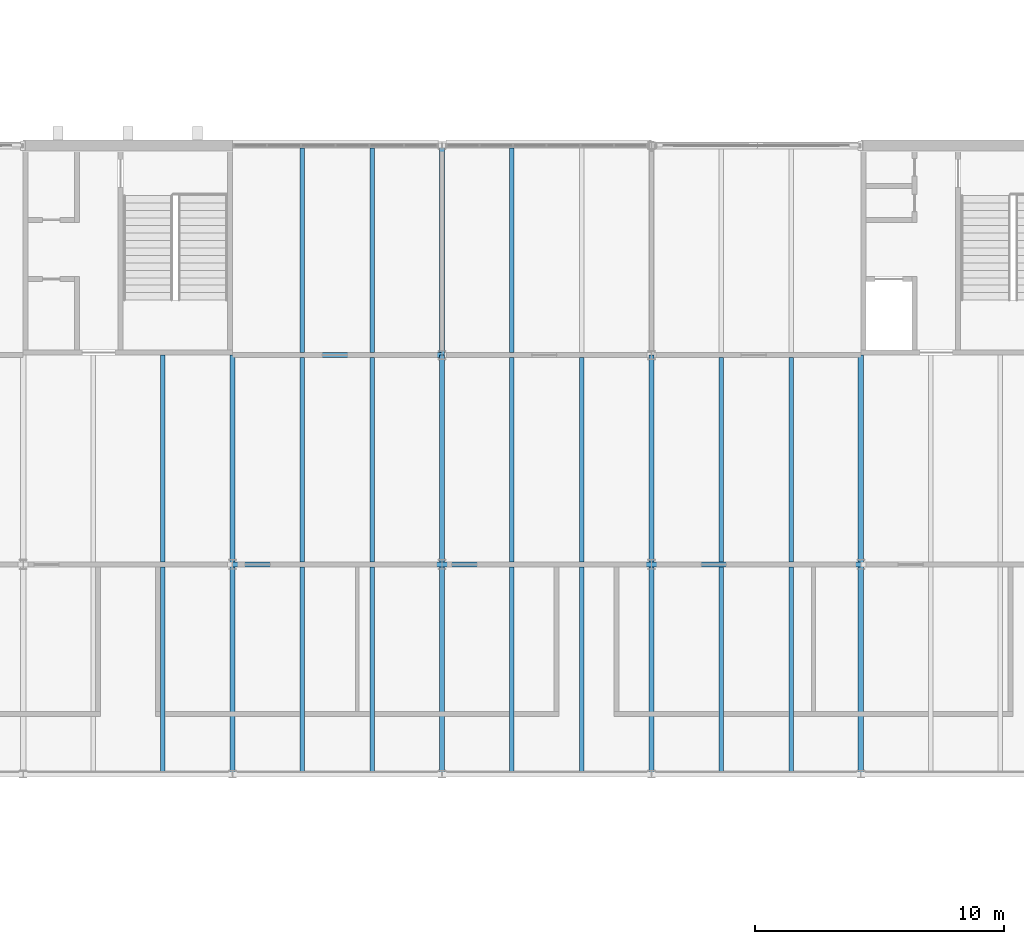
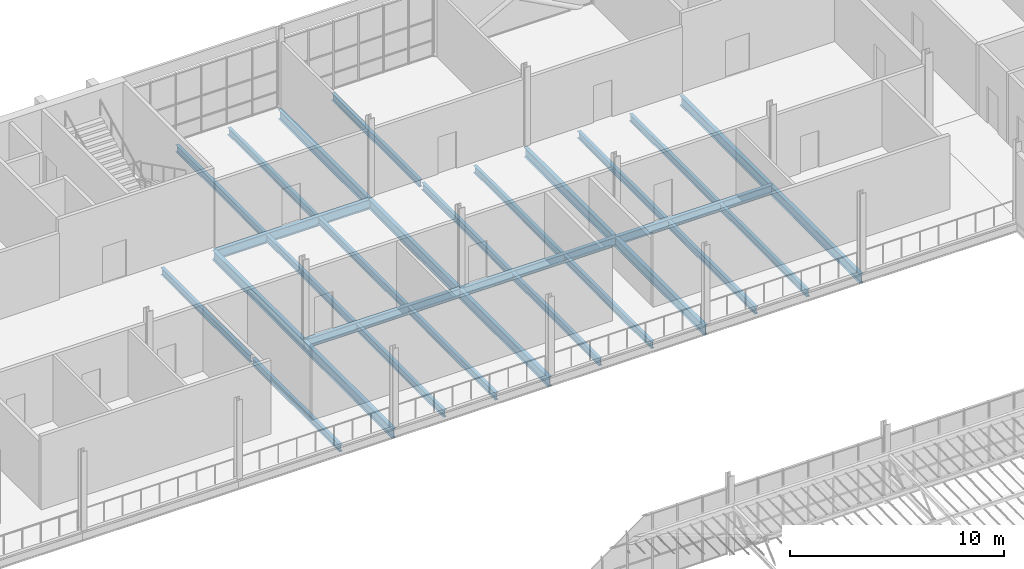
# One storey, part 50 of 129: 30 beams.
"""IFC4 building model written with IfcOpenShell, lengths in metres."""

from ifc_helpers import new_model, si_unit, direction, frame, origin, origin_2d, place, context, subcontext, project, spatial, i_section, extrude, material, material_profile, profile_set, type_object, element, save


model = new_model("IFC4")

# Units and contexts
model_context = context("Model", 3, precision=1e-05, world=origin(), true_north=direction((0.0, 1.0)))
body_context = subcontext(model_context, "Body", "Model", "MODEL_VIEW")
ifc_project = project(units=[si_unit("LENGTHUNIT", "METRE"), si_unit("AREAUNIT", "SQUARE_METRE"), si_unit("VOLUMEUNIT", "CUBIC_METRE"), si_unit("PLANEANGLEUNIT", "RADIAN"), si_unit("MASSUNIT", "GRAM", prefix="KILO")], contexts=[model_context])

# Site, building, storey
site_placement = place(None, origin())
site = spatial("IfcSite", under=ifc_project, at=site_placement, CompositionType="ELEMENT")
building_placement = place(site_placement, origin())
building = spatial("IfcBuilding", under=site, at=building_placement, Name="Ardhachandra Cancer Care Centre", CompositionType="ELEMENT")
storey_placement = place(building_placement, frame((0.0, 0.0, 4.5)))
storey = spatial("IfcBuildingStorey", under=building, at=storey_placement, Name="L01", CompositionType="ELEMENT", Elevation=4.5)

# Beams
ifc_material_1 = material(Name="Steel E350 (IS 2062)", Category="steel")
ifc_material_profile_1 = material_profile(ifc_material_1, i_section(OverallWidth=0.179931640625, OverallDepth=0.39990234375, WebThickness=0.008544921875, FlangeThickness=0.013427734375, FilletRadius=0.02099609375, at=origin_2d()), Name="NPB 400x180x66.30")
ifc_profile_set_1 = profile_set([ifc_material_profile_1], Name="Steel E350 (IS 2062)")
beam_type_1 = type_object("IfcBeamType", Name="Beam NPB 400x180x66.30", PredefinedType="BEAM", material=ifc_profile_set_1)
beam_1_placement = place(storey_placement, frame((75.199951171875, 71.5, -0.35009765625), z_axis=(0.0, 1.0, 0.0), x_axis=(-1.0, 0.0, 0.0)))
element("IfcBeam", 1, at=beam_1_placement, inside=storey, type_object=beam_type_1, Name="Secondary H8-J8@5600", PredefinedType="BEAM", context=body_context, shape_type="SweptSolid", body=[
    extrude(i_section(OverallWidth=0.179931640625, OverallDepth=0.39990234375, WebThickness=0.008544921875, FlangeThickness=0.013427734375, FilletRadius=0.02099609375, at=origin_2d()), origin(), (0.0, 0.0, 1.0), 8.199951171875),
])
beam_2_placement = place(storey_placement, frame((75.199951171875, 79.89990234375, -0.35009765625), z_axis=(0.0, 1.0, 0.0), x_axis=(-1.0, 0.0, 0.0)))
element("IfcBeam", 2, at=beam_2_placement, inside=storey, type_object=beam_type_1, Name="Secondary J8-K8@5600", PredefinedType="BEAM", context=body_context, shape_type="SweptSolid", body=[
    extrude(i_section(OverallWidth=0.179931640625, OverallDepth=0.39990234375, WebThickness=0.008544921875, FlangeThickness=0.013427734375, FilletRadius=0.02099609375, at=origin_2d()), origin(), (0.0, 0.0, 1.0), 8.300048828125),
])
beam_3_placement = place(storey_placement, frame((80.800048828125, 71.5, -0.35009765625), z_axis=(0.0, 1.0, 0.0), x_axis=(-1.0, 0.0, 0.0)))
element("IfcBeam", 3, at=beam_3_placement, inside=storey, type_object=beam_type_1, Name="Secondary H9-J9@2800", PredefinedType="BEAM", context=body_context, shape_type="SweptSolid", body=[
    extrude(i_section(OverallWidth=0.179931640625, OverallDepth=0.39990234375, WebThickness=0.008544921875, FlangeThickness=0.013427734375, FilletRadius=0.02099609375, at=origin_2d()), origin(), (0.0, 0.0, 1.0), 8.199951171875),
])
for number, where, z_axis, x_axis, name in (
    (4, (80.800048828125, 79.89990234375, -0.35009765625), (0.0, 1.0, 0.0), (-1.0, 0.0, 0.0), "Secondary J9-K9@2800"),
    (5, (80.800048828125, 88.304931640625, -0.35009765625), (0.0, 1.0, 0.0), (-1.0, 0.0, 0.0), "Secondary K9-L9@2800"),
):
    element("IfcBeam", number, at=place(storey_placement, frame(where, z_axis=z_axis, x_axis=x_axis)), inside=storey, type_object=beam_type_1, Name=name, PredefinedType="BEAM", context=body_context, shape_type="SweptSolid", body=[
        extrude(i_section(OverallWidth=0.179931640625, OverallDepth=0.39990234375, WebThickness=0.008544921875, FlangeThickness=0.013427734375, FilletRadius=0.02099609375, at=origin_2d()), origin(), (0.0, 0.0, 1.0), 8.195068359375),
    ])
beam_4_placement = place(storey_placement, frame((83.60009765625, 71.5, -0.35009765625), z_axis=(0.0, 1.0, 0.0), x_axis=(-1.0, 0.0, 0.0)))
element("IfcBeam", 6, at=beam_4_placement, inside=storey, type_object=beam_type_1, Name="Secondary H9-J9@5600", PredefinedType="BEAM", context=body_context, shape_type="SweptSolid", body=[
    extrude(i_section(OverallWidth=0.179931640625, OverallDepth=0.39990234375, WebThickness=0.008544921875, FlangeThickness=0.013427734375, FilletRadius=0.02099609375, at=origin_2d()), origin(), (0.0, 0.0, 1.0), 8.199951171875),
])
for number, where, z_axis, x_axis, name in (
    (7, (83.60009765625, 79.89990234375, -0.35009765625), (0.0, 1.0, 0.0), (-1.0, 0.0, 0.0), "Secondary J9-K9@5600"),
    (8, (83.60009765625, 88.304931640625, -0.35009765625), (0.0, 1.0, 0.0), (-1.0, 0.0, 0.0), "Secondary K9-L9@5600"),
):
    element("IfcBeam", number, at=place(storey_placement, frame(where, z_axis=z_axis, x_axis=x_axis)), inside=storey, type_object=beam_type_1, Name=name, PredefinedType="BEAM", context=body_context, shape_type="SweptSolid", body=[
        extrude(i_section(OverallWidth=0.179931640625, OverallDepth=0.39990234375, WebThickness=0.008544921875, FlangeThickness=0.013427734375, FilletRadius=0.02099609375, at=origin_2d()), origin(), (0.0, 0.0, 1.0), 8.195068359375),
    ])
beam_5_placement = place(storey_placement, frame((89.199951171875, 71.5, -0.35009765625), z_axis=(0.0, 1.0, 0.0), x_axis=(-1.0, 0.0, 0.0)))
element("IfcBeam", 9, at=beam_5_placement, inside=storey, type_object=beam_type_1, Name="Secondary H10-J10@2800", PredefinedType="BEAM", context=body_context, shape_type="SweptSolid", body=[
    extrude(i_section(OverallWidth=0.179931640625, OverallDepth=0.39990234375, WebThickness=0.008544921875, FlangeThickness=0.013427734375, FilletRadius=0.02099609375, at=origin_2d()), origin(), (0.0, 0.0, 1.0), 8.199951171875),
])
for number, where, z_axis, x_axis, name in (
    (10, (89.199951171875, 79.89990234375, -0.35009765625), (0.0, 1.0, 0.0), (-1.0, 0.0, 0.0), "Secondary J10-K10@2800"),
    (11, (89.199951171875, 88.304931640625, -0.35009765625), (0.0, 1.0, 0.0), (-1.0, 0.0, 0.0), "Secondary K10-L10@2800"),
):
    element("IfcBeam", number, at=place(storey_placement, frame(where, z_axis=z_axis, x_axis=x_axis)), inside=storey, type_object=beam_type_1, Name=name, PredefinedType="BEAM", context=body_context, shape_type="SweptSolid", body=[
        extrude(i_section(OverallWidth=0.179931640625, OverallDepth=0.39990234375, WebThickness=0.008544921875, FlangeThickness=0.013427734375, FilletRadius=0.02099609375, at=origin_2d()), origin(), (0.0, 0.0, 1.0), 8.195068359375),
    ])
beam_6_placement = place(storey_placement, frame((92.0, 71.5, -0.35009765625), z_axis=(0.0, 1.0, 0.0), x_axis=(-1.0, 0.0, 0.0)))
element("IfcBeam", 12, at=beam_6_placement, inside=storey, type_object=beam_type_1, Name="Secondary H10-J10@5600", PredefinedType="BEAM", context=body_context, shape_type="SweptSolid", body=[
    extrude(i_section(OverallWidth=0.179931640625, OverallDepth=0.39990234375, WebThickness=0.008544921875, FlangeThickness=0.013427734375, FilletRadius=0.02099609375, at=origin_2d()), origin(), (0.0, 0.0, 1.0), 8.199951171875),
])
beam_7_placement = place(storey_placement, frame((92.0, 79.89990234375, -0.35009765625), z_axis=(0.0, 1.0, 0.0), x_axis=(-1.0, 0.0, 0.0)))
element("IfcBeam", 13, at=beam_7_placement, inside=storey, type_object=beam_type_1, Name="Secondary J10-K10@5600", PredefinedType="BEAM", context=body_context, shape_type="SweptSolid", body=[
    extrude(i_section(OverallWidth=0.179931640625, OverallDepth=0.39990234375, WebThickness=0.008544921875, FlangeThickness=0.013427734375, FilletRadius=0.02099609375, at=origin_2d()), origin(), (0.0, 0.0, 1.0), 8.195068359375),
])
beam_8_placement = place(storey_placement, frame((97.60009765625, 71.5, -0.35009765625), z_axis=(0.0, 1.0, 0.0), x_axis=(-1.0, 0.0, 0.0)))
element("IfcBeam", 14, at=beam_8_placement, inside=storey, type_object=beam_type_1, Name="Secondary H11-J11@2800", PredefinedType="BEAM", context=body_context, shape_type="SweptSolid", body=[
    extrude(i_section(OverallWidth=0.179931640625, OverallDepth=0.39990234375, WebThickness=0.008544921875, FlangeThickness=0.013427734375, FilletRadius=0.02099609375, at=origin_2d()), origin(), (0.0, 0.0, 1.0), 8.199951171875),
])
beam_9_placement = place(storey_placement, frame((97.60009765625, 79.89990234375, -0.35009765625), z_axis=(0.0, 1.0, 0.0), x_axis=(-1.0, 0.0, 0.0)))
element("IfcBeam", 15, at=beam_9_placement, inside=storey, type_object=beam_type_1, Name="Secondary J11-K11@2800", PredefinedType="BEAM", context=body_context, shape_type="SweptSolid", body=[
    extrude(i_section(OverallWidth=0.179931640625, OverallDepth=0.39990234375, WebThickness=0.008544921875, FlangeThickness=0.013427734375, FilletRadius=0.02099609375, at=origin_2d()), origin(), (0.0, 0.0, 1.0), 8.195068359375),
])
beam_10_placement = place(storey_placement, frame((100.39990234375, 71.5, -0.35009765625), z_axis=(0.0, 1.0, 0.0), x_axis=(-1.0, 0.0, 0.0)))
element("IfcBeam", 16, at=beam_10_placement, inside=storey, type_object=beam_type_1, Name="Secondary H11-J11@5600", PredefinedType="BEAM", context=body_context, shape_type="SweptSolid", body=[
    extrude(i_section(OverallWidth=0.179931640625, OverallDepth=0.39990234375, WebThickness=0.008544921875, FlangeThickness=0.013427734375, FilletRadius=0.02099609375, at=origin_2d()), origin(), (0.0, 0.0, 1.0), 8.199951171875),
])
beam_11_placement = place(storey_placement, frame((100.39990234375, 79.89990234375, -0.35009765625), z_axis=(0.0, 1.0, 0.0), x_axis=(-1.0, 0.0, 0.0)))
element("IfcBeam", 17, at=beam_11_placement, inside=storey, type_object=beam_type_1, Name="Secondary J11-K11@5600", PredefinedType="BEAM", context=body_context, shape_type="SweptSolid", body=[
    extrude(i_section(OverallWidth=0.179931640625, OverallDepth=0.39990234375, WebThickness=0.008544921875, FlangeThickness=0.013427734375, FilletRadius=0.02099609375, at=origin_2d()), origin(), (0.0, 0.0, 1.0), 8.195068359375),
])
ifc_material_2 = material(Name="Steel E350 (IS 2062)", Category="steel")
ifc_material_profile_2 = material_profile(ifc_material_2, i_section(OverallWidth=0.199951171875, OverallDepth=0.5, WebThickness=0.01025390625, FlangeThickness=0.01611328125, FilletRadius=0.02099609375, at=origin_2d()), Name="NPB 500x200x90.68")
ifc_profile_set_2 = profile_set([ifc_material_profile_2], Name="Steel E350 (IS 2062)")
beam_type_2 = type_object("IfcBeamType", Name="Beam NPB 500x200x90.68", PredefinedType="BEAM", material=ifc_profile_set_2)
beam_12_placement = place(storey_placement, frame((78.0, 79.800048828125, -0.39990234375), z_axis=(1.0, 0.0, 0.0), x_axis=(0.0, 1.0, 0.0)))
element("IfcBeam", 18, at=beam_12_placement, inside=storey, type_object=beam_type_2, Name="Edge girder J9-J10", PredefinedType="BEAM", context=body_context, shape_type="SweptSolid", body=[
    extrude(i_section(OverallWidth=0.199951171875, OverallDepth=0.5, WebThickness=0.01025390625, FlangeThickness=0.01611328125, FilletRadius=0.02099609375, at=origin_2d()), origin(), (0.0, 0.0, 1.0), 8.39990234375),
])
beam_13_placement = place(storey_placement, frame((86.39990234375, 79.800048828125, -0.39990234375), z_axis=(1.0, 0.0, 0.0), x_axis=(0.0, 1.0, 0.0)))
element("IfcBeam", 19, at=beam_13_placement, inside=storey, type_object=beam_type_2, Name="Edge girder J10-J11", PredefinedType="BEAM", context=body_context, shape_type="SweptSolid", body=[
    extrude(i_section(OverallWidth=0.199951171875, OverallDepth=0.5, WebThickness=0.01025390625, FlangeThickness=0.01611328125, FilletRadius=0.02099609375, at=origin_2d()), origin(), (0.0, 0.0, 1.0), 8.400146484375),
])
beam_14_placement = place(storey_placement, frame((94.800048828125, 79.800048828125, -0.39990234375), z_axis=(1.0, 0.0, 0.0), x_axis=(0.0, 1.0, 0.0)))
element("IfcBeam", 20, at=beam_14_placement, inside=storey, type_object=beam_type_2, Name="Edge girder J11-J12", PredefinedType="BEAM", context=body_context, shape_type="SweptSolid", body=[
    extrude(i_section(OverallWidth=0.199951171875, OverallDepth=0.5, WebThickness=0.01025390625, FlangeThickness=0.01611328125, FilletRadius=0.02099609375, at=origin_2d()), origin(), (0.0, 0.0, 1.0), 8.39990234375),
])
ifc_material_3 = material(Name="Steel E350 (IS 2062)", Category="steel")
ifc_material_profile_3 = material_profile(ifc_material_3, i_section(OverallWidth=0.2099609375, OverallDepth=0.550048828125, WebThickness=0.010986328125, FlangeThickness=0.01708984375, FilletRadius=0.02392578125, at=origin_2d()), Name="NPB 550x210x105.52")
ifc_profile_set_3 = profile_set([ifc_material_profile_3], Name="Steel E350 (IS 2062)")
beam_type_3 = type_object("IfcBeamType", Name="Beam NPB 550x210x105.52", PredefinedType="BEAM", material=ifc_profile_set_3)
beam_15_placement = place(storey_placement, frame((78.0, 88.199951171875, -0.425048828125), z_axis=(1.0, 0.0, 0.0), x_axis=(0.0, 1.0, 0.0)))
element("IfcBeam", 21, at=beam_15_placement, inside=storey, type_object=beam_type_3, Name="Girder K9-K10", PredefinedType="BEAM", context=body_context, shape_type="SweptSolid", body=[
    extrude(i_section(OverallWidth=0.2099609375, OverallDepth=0.550048828125, WebThickness=0.010986328125, FlangeThickness=0.01708984375, FilletRadius=0.02392578125, at=origin_2d()), origin(), (0.0, 0.0, 1.0), 8.39990234375),
])
beam_16_placement = place(storey_placement, frame((78.0, 71.39990234375, -0.425048828125), z_axis=(0.0, 1.0, 0.0), x_axis=(-1.0, 0.0, 0.0)))
element("IfcBeam", 22, at=beam_16_placement, inside=storey, type_object=beam_type_3, Name="Girder H9-J9", PredefinedType="BEAM", context=body_context, shape_type="SweptSolid", body=[
    extrude(i_section(OverallWidth=0.2099609375, OverallDepth=0.550048828125, WebThickness=0.010986328125, FlangeThickness=0.01708984375, FilletRadius=0.02392578125, at=origin_2d()), origin(), (0.0, 0.0, 1.0), 8.400146484375),
])
beam_17_placement = place(storey_placement, frame((78.0, 79.800048828125, -0.425048828125), z_axis=(0.0, 1.0, 0.0), x_axis=(-1.0, 0.0, 0.0)))
element("IfcBeam", 23, at=beam_17_placement, inside=storey, type_object=beam_type_3, Name="Girder J9-K9", PredefinedType="BEAM", context=body_context, shape_type="SweptSolid", body=[
    extrude(i_section(OverallWidth=0.2099609375, OverallDepth=0.550048828125, WebThickness=0.010986328125, FlangeThickness=0.01708984375, FilletRadius=0.02392578125, at=origin_2d()), origin(), (0.0, 0.0, 1.0), 8.39990234375),
])
beam_18_placement = place(storey_placement, frame((86.39990234375, 71.39990234375, -0.425048828125), z_axis=(0.0, 1.0, 0.0), x_axis=(-1.0, 0.0, 0.0)))
element("IfcBeam", 24, at=beam_18_placement, inside=storey, type_object=beam_type_3, Name="Girder H10-J10", PredefinedType="BEAM", context=body_context, shape_type="SweptSolid", body=[
    extrude(i_section(OverallWidth=0.2099609375, OverallDepth=0.550048828125, WebThickness=0.010986328125, FlangeThickness=0.01708984375, FilletRadius=0.02392578125, at=origin_2d()), origin(), (0.0, 0.0, 1.0), 8.400146484375),
])
beam_19_placement = place(storey_placement, frame((86.39990234375, 79.800048828125, -0.425048828125), z_axis=(0.0, 1.0, 0.0), x_axis=(-1.0, 0.0, 0.0)))
element("IfcBeam", 25, at=beam_19_placement, inside=storey, type_object=beam_type_3, Name="Girder J10-K10", PredefinedType="BEAM", context=body_context, shape_type="SweptSolid", body=[
    extrude(i_section(OverallWidth=0.2099609375, OverallDepth=0.550048828125, WebThickness=0.010986328125, FlangeThickness=0.01708984375, FilletRadius=0.02392578125, at=origin_2d()), origin(), (0.0, 0.0, 1.0), 8.39990234375),
])
for number, where, z_axis, x_axis, name in (
    (26, (86.39990234375, 88.199951171875, -0.425048828125), (0.0, 1.0, 0.0), (-1.0, 0.0, 0.0), "Girder K10-L10"),
    (27, (94.800048828125, 71.39990234375, -0.425048828125), (0.0, 1.0, 0.0), (-1.0, 0.0, 0.0), "Girder H11-J11"),
):
    element("IfcBeam", number, at=place(storey_placement, frame(where, z_axis=z_axis, x_axis=x_axis)), inside=storey, type_object=beam_type_3, Name=name, PredefinedType="BEAM", context=body_context, shape_type="SweptSolid", body=[
        extrude(i_section(OverallWidth=0.2099609375, OverallDepth=0.550048828125, WebThickness=0.010986328125, FlangeThickness=0.01708984375, FilletRadius=0.02392578125, at=origin_2d()), origin(), (0.0, 0.0, 1.0), 8.400146484375),
    ])
beam_20_placement = place(storey_placement, frame((94.800048828125, 79.800048828125, -0.425048828125), z_axis=(0.0, 1.0, 0.0), x_axis=(-1.0, 0.0, 0.0)))
element("IfcBeam", 28, at=beam_20_placement, inside=storey, type_object=beam_type_3, Name="Girder J11-K11", PredefinedType="BEAM", context=body_context, shape_type="SweptSolid", body=[
    extrude(i_section(OverallWidth=0.2099609375, OverallDepth=0.550048828125, WebThickness=0.010986328125, FlangeThickness=0.01708984375, FilletRadius=0.02392578125, at=origin_2d()), origin(), (0.0, 0.0, 1.0), 8.39990234375),
])
beam_21_placement = place(storey_placement, frame((103.199951171875, 71.39990234375, -0.425048828125), z_axis=(0.0, 1.0, 0.0), x_axis=(-1.0, 0.0, 0.0)))
element("IfcBeam", 29, at=beam_21_placement, inside=storey, type_object=beam_type_3, Name="Girder H12-J12", PredefinedType="BEAM", context=body_context, shape_type="SweptSolid", body=[
    extrude(i_section(OverallWidth=0.2099609375, OverallDepth=0.550048828125, WebThickness=0.010986328125, FlangeThickness=0.01708984375, FilletRadius=0.02392578125, at=origin_2d()), origin(), (0.0, 0.0, 1.0), 8.400146484375),
])
beam_22_placement = place(storey_placement, frame((103.199951171875, 79.800048828125, -0.425048828125), z_axis=(0.0, 1.0, 0.0), x_axis=(-1.0, 0.0, 0.0)))
element("IfcBeam", 30, at=beam_22_placement, inside=storey, type_object=beam_type_3, Name="Girder J12-K12", PredefinedType="BEAM", context=body_context, shape_type="SweptSolid", body=[
    extrude(i_section(OverallWidth=0.2099609375, OverallDepth=0.550048828125, WebThickness=0.010986328125, FlangeThickness=0.01708984375, FilletRadius=0.02392578125, at=origin_2d()), origin(), (0.0, 0.0, 1.0), 8.39990234375),
])

save(model, "model.ifc")
